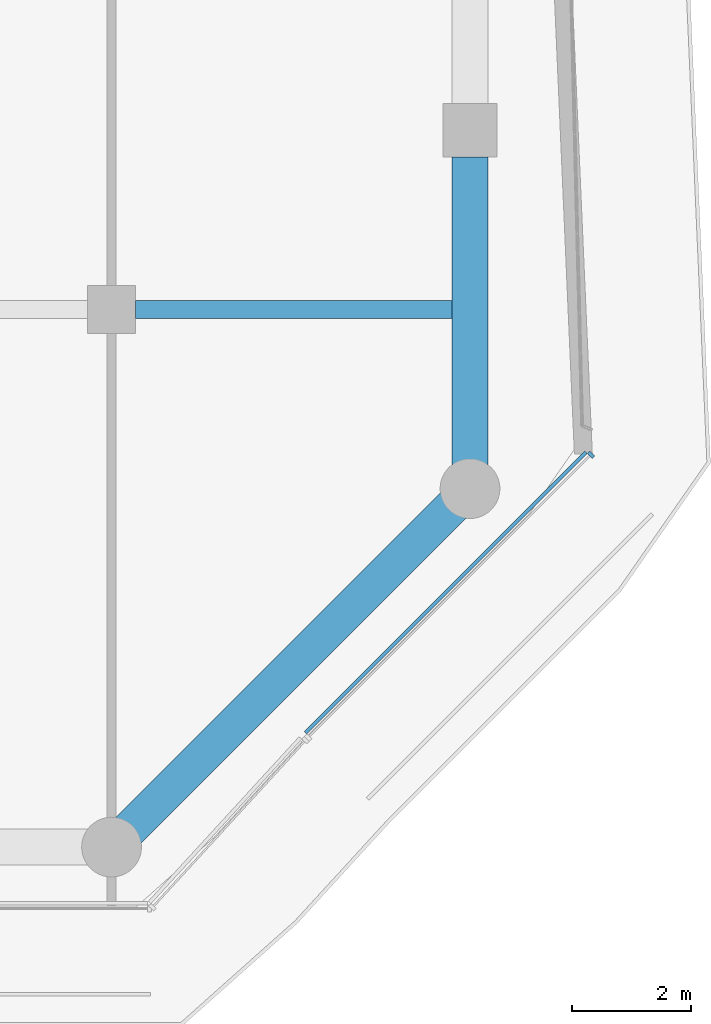
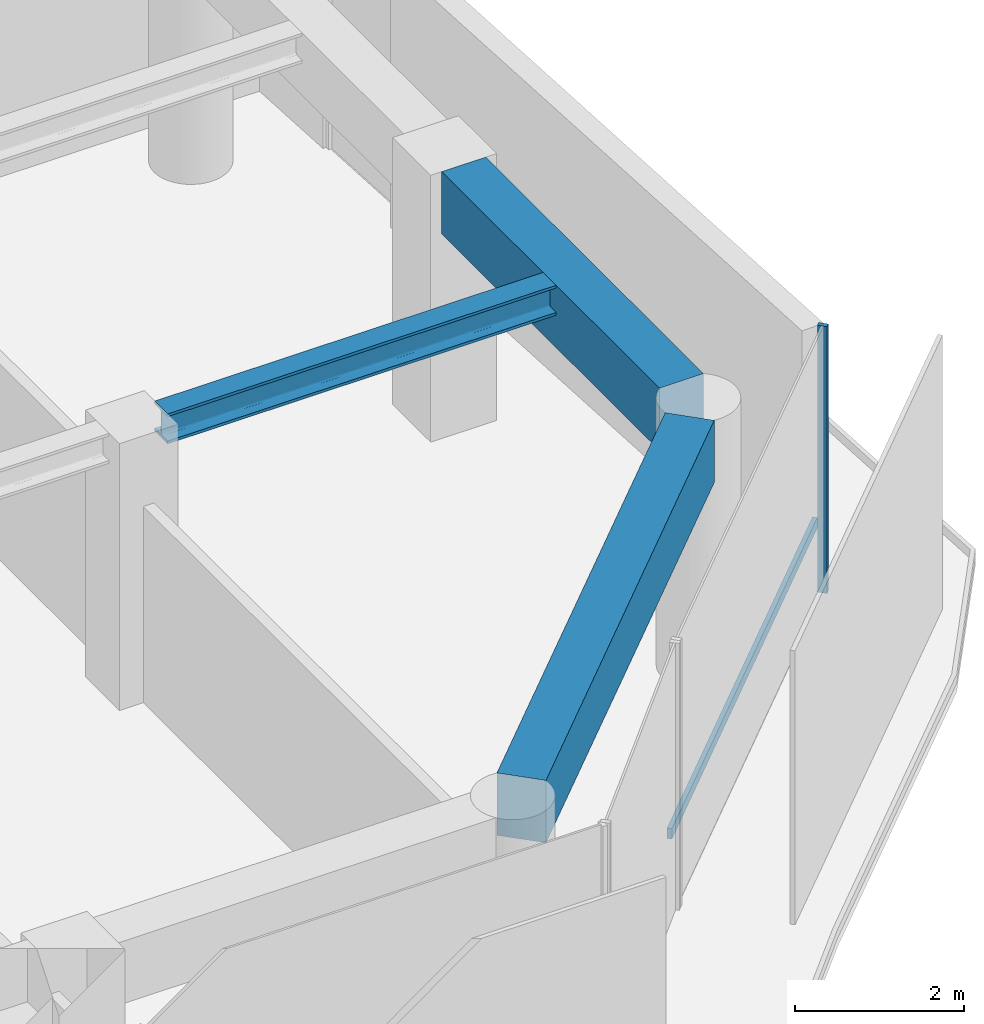
# One storey, part 7 of 24: 3 beams, 2 members, 1 element without a shape of its own.
"""IFC4 building model written with IfcOpenShell, lengths in metres."""

from ifc_helpers import new_model, si_unit, direction, frame, origin, origin_2d, place, context, subcontext, project, spatial, rectangle, i_section, extrude, material, layer, layer_set, material_profile, profile_set, type_object, element, aggregate, save


model = new_model("IFC4")

# Units and contexts
model_context = context("Model", 3, precision=1e-05, world=origin(), true_north=direction((0.0, 1.0)))
body_context = subcontext(model_context, "Body", "Model", "MODEL_VIEW")
ifc_project = project(units=[si_unit("LENGTHUNIT", "METRE"), si_unit("AREAUNIT", "SQUARE_METRE"), si_unit("VOLUMEUNIT", "CUBIC_METRE"), si_unit("PLANEANGLEUNIT", "RADIAN"), si_unit("MASSUNIT", "GRAM", prefix="KILO")], contexts=[model_context])

# Site, building, storey
site_placement = place(None, origin())
site = spatial("IfcSite", under=ifc_project, at=site_placement, CompositionType="ELEMENT")
building_placement = place(site_placement, origin())
building = spatial("IfcBuilding", under=site, at=building_placement, Name="Welwitschia Terrace Campus", CompositionType="ELEMENT")
storey_placement = place(building_placement, frame((0.0, 0.0, 100.39990234375)))
storey = spatial("IfcBuildingStorey", under=building, at=storey_placement, Name="L22", CompositionType="ELEMENT", Elevation=100.39990234375)

# Beam
ifc_material_1 = material(Name="Steel S355", Category="steel")
ifc_material_profile_1 = material_profile(ifc_material_1, i_section(OverallWidth=0.306884765625, OverallDepth=0.431884765625, WebThickness=0.02099609375, FlangeThickness=0.0400390625, FilletRadius=0.027099609375, at=origin_2d()))
ifc_profile_set_1 = profile_set([ifc_material_profile_1], Name="Steel S355")
beam_type_1 = type_object("IfcBeamType", Name="Interior girder HE 400 M", PredefinedType="BEAM", material=ifc_profile_set_1)
beam_1_placement = place(storey_placement, frame((48.400390625, 13.0, 3.634033203125), z_axis=(1.0, 0.0, 0.0), x_axis=(0.0, 1.0, 0.0)))
element("IfcBeam", 1, at=beam_1_placement, inside=storey, type_object=beam_type_1, Name="Girder GB3", PredefinedType="BEAM", context=body_context, shape_type="SweptSolid", body=[
    extrude(i_section(OverallWidth=0.306884765625, OverallDepth=0.431884765625, WebThickness=0.02099609375, FlangeThickness=0.0400390625, FilletRadius=0.027099609375, at=origin_2d()), origin(), (0.0, 0.0, 1.0), 5.609619140625),
])

# Curtain wall, member
ifc_material_2 = material(Name="Bronze anodised aluminium", Category="aluminium")
ifc_layer = layer(ifc_material_2, 0.1201171875)
ifc_layer_set = layer_set([ifc_layer], Name="Bronze anodised aluminium")
curtain_wall_type = type_object("IfcCurtainWallType", Name="Curtain wall CW2 tower 6000", PredefinedType="NOTDEFINED", material=ifc_layer_set)
curtain_wall_placement = place(storey_placement, origin())
curtain_wall = element("IfcCurtainWall", 2, at=curtain_wall_placement, inside=storey, type_object=curtain_wall_type, Name="CW L22.4.0", PredefinedType="NOTDEFINED")
ifc_material_3 = material(Name="Bronze anodised aluminium", Category="aluminium")
ifc_material_profile_2 = material_profile(ifc_material_3, rectangle(XDim=0.1201171875, YDim=0.06005859375, at=origin_2d()))
ifc_profile_set_2 = profile_set([ifc_material_profile_2], Name="Bronze anodised aluminium")
member_type_1 = type_object("IfcMemberType", Name="Mullion 60x120", PredefinedType="MULLION", material=ifc_profile_set_2)
member_1_placement = place(storey_placement, frame((56.02587890625, 10.5693359375, 0.0), z_axis=(0.0, 0.0, 1.0), x_axis=(-0.707106781187, 0.707106781187, 0.0)))
member_1 = element("IfcMember", 3, at=member_1_placement, type_object=member_type_1, Name="Mullion L22.4.0.1", PredefinedType="MULLION", context=body_context, shape_type="SweptSolid", body=[
    extrude(rectangle(XDim=0.1201171875, YDim=0.06005859375, at=origin_2d()), origin(), (0.0, 0.0, 1.0), 3.85009765625),
])

# Beams
ifc_material_4 = material(Name="Concrete C60/75", Category="concrete")
ifc_material_profile_3 = material_profile(ifc_material_4, rectangle(XDim=0.60009765625, YDim=0.89990234375, at=origin_2d()))
ifc_profile_set_3 = profile_set([ifc_material_profile_3], Name="Concrete C60/75")
beam_type_2 = type_object("IfcBeamType", Name="Ring spandrel 600x900", PredefinedType="SPANDREL", material=ifc_profile_set_3)
beam_2_placement = place(storey_placement, frame((48.283203125, 4.283203125, 3.400146484375), z_axis=(0.707106781187, 0.707106781187, 0.0), x_axis=(-0.707106781187, 0.707106781187, 0.0)))
element("IfcBeam", 4, at=beam_2_placement, inside=storey, type_object=beam_type_2, Name="Spandrel SP2", PredefinedType="SPANDREL", context=body_context, shape_type="SweptSolid", body=[
    extrude(rectangle(XDim=0.60009765625, YDim=0.89990234375, at=origin_2d()), origin(), (0.0, 0.0, 1.0), 7.684326171875),
])
beam_3_placement = place(storey_placement, frame((54.0, 10.400390625, 3.400146484375), z_axis=(0.0, 1.0, 0.0), x_axis=(-1.0, 0.0, 0.0)))
element("IfcBeam", 5, at=beam_3_placement, inside=storey, type_object=beam_type_2, Name="Spandrel SP2", PredefinedType="SPANDREL", context=body_context, shape_type="SweptSolid", body=[
    extrude(rectangle(XDim=0.60009765625, YDim=0.89990234375, at=origin_2d()), origin(), (0.0, 0.0, 1.0), 5.149169921875),
])

# Member
ifc_material_5 = material(Name="Bronze anodised aluminium", Category="aluminium")
ifc_material_profile_4 = material_profile(ifc_material_5, rectangle(XDim=0.06005859375, YDim=0.14990234375, at=origin_2d()))
ifc_profile_set_4 = profile_set([ifc_material_profile_4], Name="Bronze anodised aluminium")
member_type_2 = type_object("IfcMemberType", Name="Transom 60x150", PredefinedType="USERDEFINED", material=ifc_profile_set_4)
member_2_placement = place(storey_placement, frame((51.2470703125, 5.917724609375, 1.0), z_axis=(0.707125169806, 0.707088392089, 0.0), x_axis=(-0.707088392089, 0.707125169806, 0.0)))
member_2 = element("IfcMember", 6, at=member_2_placement, type_object=member_type_2, Name="Transom L22.4.0", ObjectType="TRANSOM", PredefinedType="USERDEFINED", context=body_context, shape_type="SweptSolid", body=[
    extrude(rectangle(XDim=0.06005859375, YDim=0.14990234375, at=origin_2d()), origin(), (0.0, 0.0, 1.0), 6.63818359375),
])

aggregate(curtain_wall, [member_1, member_2])

save(model, "model.ifc")
